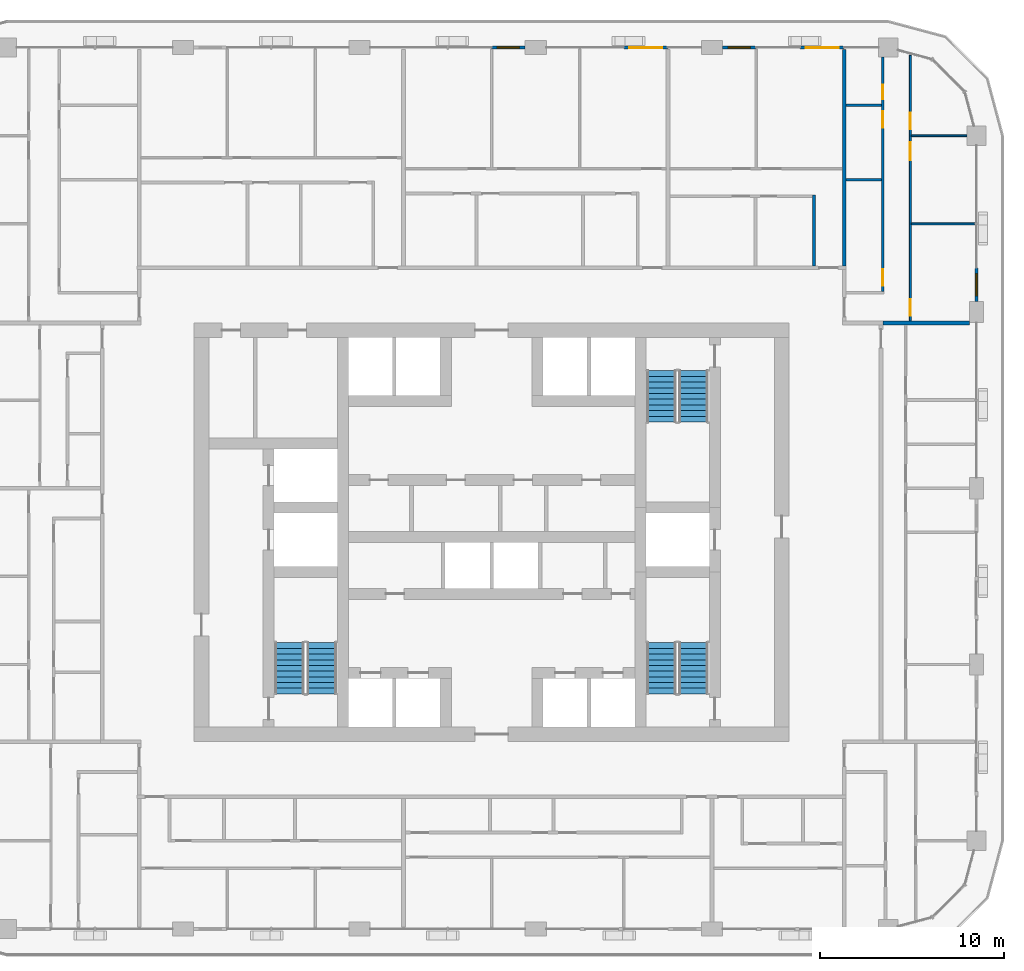
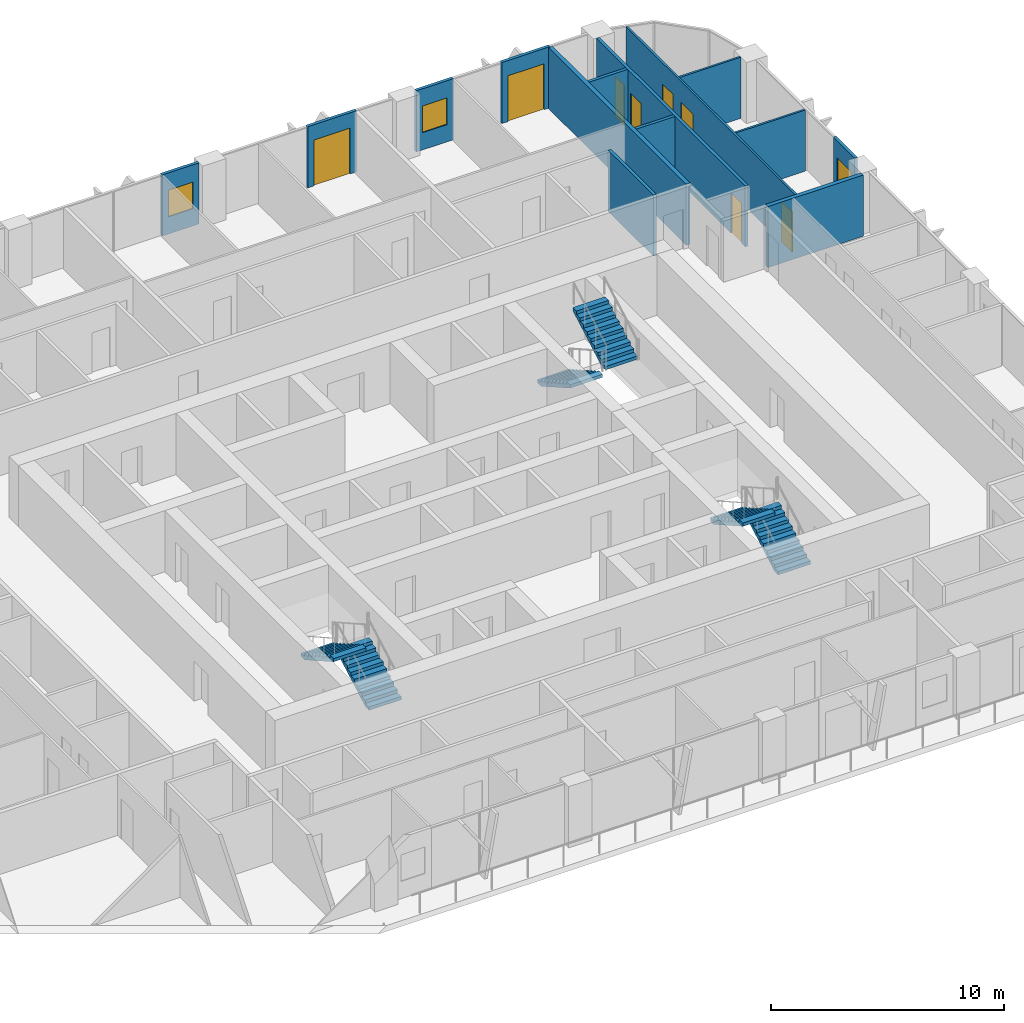
# One storey, part 15 of 22: 14 walls, 8 doors, 6 stair flights, 3 windows, 11 openings, 3 elements without a shape of their own.
"""IFC4 building model written with IfcOpenShell, lengths in metres."""

from ifc_helpers import new_model, si_unit, direction, frame, frame_2d, origin, place, context, subcontext, project, spatial, polyline, rectangle, outline, extrude, material, layer, layer_set, type_object, element, fill, aggregate, save


model = new_model("IFC4")

# Units and contexts
model_context = context("Model", 3, precision=1e-05, world=origin(), true_north=direction((0.0, 1.0)))
body_context = subcontext(model_context, "Body", "Model", "MODEL_VIEW")
ifc_project = project(units=[si_unit("LENGTHUNIT", "METRE"), si_unit("AREAUNIT", "SQUARE_METRE"), si_unit("VOLUMEUNIT", "CUBIC_METRE"), si_unit("PLANEANGLEUNIT", "RADIAN"), si_unit("MASSUNIT", "GRAM", prefix="KILO")], contexts=[model_context])

# Site, building, storey
site_placement = place(None, origin())
site = spatial("IfcSite", under=ifc_project, at=site_placement, CompositionType="ELEMENT")
building_placement = place(site_placement, origin())
building = spatial("IfcBuilding", under=site, at=building_placement, Name="Madar Terraces", CompositionType="ELEMENT")
storey_placement = place(building_placement, frame((0.0, 0.0, 126.10009765625)))
storey = spatial("IfcBuildingStorey", under=building, at=storey_placement, Name="L32", CompositionType="ELEMENT", Elevation=126.10009765625)

# Wall, opening, window
ifc_material_1 = material(Name="Aluminium composite panel, black, over insulated backing", Category="aluminium")
ifc_layer_1 = layer(ifc_material_1, 0.14990234375)
ifc_layer_set_1 = layer_set([ifc_layer_1], Name="Facade bay panel 150")
wall_type_1 = type_object("IfcWallType", Name="Facade bay panel 150", PredefinedType="SOLIDWALL", material=ifc_layer_set_1)
wall_1_placement = place(storey_placement, frame((57.60009765625, 38.97509765625, 0.0), z_axis=(0.0, 0.0, 1.0), x_axis=(0.0, 1.0, 0.0)))
wall_1 = element("IfcWall", 1, at=wall_1_placement, inside=storey, type_object=wall_type_1, Name="Facade bay panel", PredefinedType="SOLIDWALL", context=body_context, shape_type="SweptSolid", body=[
    extrude(rectangle(XDim=1.824951171875, YDim=0.14990234375, at=frame_2d((0.91259765625, 0.0))), origin(), (0.0, 0.0, 1.0), 3.199951171875),
])
opening_1_placement = place(wall_1_placement, frame((0.3125, 0.0, 0.89990234375)))
opening_1 = element("IfcOpeningElement", 2, at=opening_1_placement, cuts=wall_1, Name="Opening W1", PredefinedType="OPENING", context=body_context, shape_type="SweptSolid", body=[
    extrude(rectangle(XDim=1.199951171875, YDim=1.39990234375, at=frame_2d((0.60009765625, 0.699951171875))), frame((0.0, 0.0849609375, 0.0), z_axis=(0.0, -1.0, 0.0), x_axis=(1.0, 0.0, 0.0)), (0.0, 0.0, 1.0), 0.169921875),
])
ifc_material_2 = material(Name="Glass, clear, with black aluminium frame", Category="aluminium")
window_type = type_object("IfcWindowType", Name="Vent window 1200 x 1400", PartitioningType="SINGLE_PANEL", PredefinedType="WINDOW", material=ifc_material_2)
window_1_placement = place(opening_1_placement, origin())
window_1 = element("IfcWindow", 3, at=window_1_placement, inside=storey, type_object=window_type, Name="Operable vent window", OverallHeight=1.39990234375, OverallWidth=1.199951171875, PartitioningType="SINGLE_PANEL", PredefinedType="WINDOW", context=body_context, shape_type="SweptSolid", body=[
    extrude(rectangle(XDim=1.199951171875, YDim=1.39990234375, at=frame_2d((0.60009765625, 0.699951171875))), frame((0.0, 0.030029296875, 0.0), z_axis=(0.0, -1.0, 0.0), x_axis=(1.0, 0.0, 0.0)), (0.0, 0.0, 1.0), 0.06005859375),
])
fill(opening_1, window_1)

# Wall, opening, door
wall_2_placement = place(storey_placement, frame((50.39990234375, 52.800048828125, 0.0), z_axis=(0.0, 0.0, 1.0), x_axis=(-1.0, 0.0, 0.0)))
wall_2 = element("IfcWall", 4, at=wall_2_placement, inside=storey, type_object=wall_type_1, Name="Facade bay panel", PredefinedType="SOLIDWALL", context=body_context, shape_type="SweptSolid", body=[
    extrude(rectangle(XDim=2.39990234375, YDim=0.14990234375, at=frame_2d((1.199951171875, 0.0))), origin(), (0.0, 0.0, 1.0), 3.199951171875),
])
opening_2_placement = place(wall_2_placement, frame((0.300048828125, 0.0, 0.0)))
opening_2 = element("IfcOpeningElement", 5, at=opening_2_placement, cuts=wall_2, Name="Opening ED1", PredefinedType="OPENING", context=body_context, shape_type="SweptSolid", body=[
    extrude(rectangle(XDim=1.800048828125, YDim=2.39990234375, at=frame_2d((0.89990234375, 1.199951171875))), frame((0.0, 0.0849609375, 0.0), z_axis=(0.0, -1.0, 0.0), x_axis=(1.0, 0.0, 0.0)), (0.0, 0.0, 1.0), 0.169921875),
])
ifc_material_3 = material(Name="Glass, clear, with black aluminium frame", Category="aluminium")
door_type_1 = type_object("IfcDoorType", Name="Balcony and terrace sliding door 1800 x 2400", OperationType="SLIDING_TO_LEFT", PredefinedType="DOOR", material=ifc_material_3)
door_1_placement = place(opening_2_placement, origin())
door_1 = element("IfcDoor", 6, at=door_1_placement, inside=storey, type_object=door_type_1, Name="Balcony door", OperationType="SLIDING_TO_LEFT", OverallHeight=2.39990234375, OverallWidth=1.800048828125, PredefinedType="DOOR", context=body_context, shape_type="SweptSolid", body=[
    extrude(rectangle(XDim=1.800048828125, YDim=2.39990234375, at=frame_2d((0.89990234375, 1.199951171875))), frame((0.0, 0.02490234375, 0.0), z_axis=(0.0, -1.0, 0.0), x_axis=(1.0, 0.0, 0.0)), (0.0, 0.0, 1.0), 0.050048828125),
])
fill(opening_2, door_1)

# Wall, opening, window
wall_3_placement = place(storey_placement, frame((45.60009765625, 52.800048828125, 0.0), z_axis=(0.0, 0.0, 1.0), x_axis=(-1.0, 0.0, 0.0)))
wall_3 = element("IfcWall", 7, at=wall_3_placement, inside=storey, type_object=wall_type_1, Name="Facade bay panel", PredefinedType="SOLIDWALL", context=body_context, shape_type="SweptSolid", body=[
    extrude(rectangle(XDim=1.8251953125, YDim=0.14990234375, at=frame_2d((0.91259765625, 0.0))), origin(), (0.0, 0.0, 1.0), 3.199951171875),
])
opening_3_placement = place(wall_3_placement, frame((0.3125, 0.0, 0.89990234375)))
opening_3 = element("IfcOpeningElement", 8, at=opening_3_placement, cuts=wall_3, Name="Opening W1", PredefinedType="OPENING", context=body_context, shape_type="SweptSolid", body=[
    extrude(rectangle(XDim=1.199951171875, YDim=1.39990234375, at=frame_2d((0.60009765625, 0.699951171875))), frame((0.0, 0.0849609375, 0.0), z_axis=(0.0, -1.0, 0.0), x_axis=(1.0, 0.0, 0.0)), (0.0, 0.0, 1.0), 0.169921875),
])
window_2_placement = place(opening_3_placement, origin())
window_2 = element("IfcWindow", 9, at=window_2_placement, inside=storey, type_object=window_type, Name="Operable vent window", OverallHeight=1.39990234375, OverallWidth=1.199951171875, PartitioningType="SINGLE_PANEL", PredefinedType="WINDOW", context=body_context, shape_type="SweptSolid", body=[
    extrude(rectangle(XDim=1.199951171875, YDim=1.39990234375, at=frame_2d((0.60009765625, 0.699951171875))), frame((0.0, 0.030029296875, 0.0), z_axis=(0.0, -1.0, 0.0), x_axis=(1.0, 0.0, 0.0)), (0.0, 0.0, 1.0), 0.06005859375),
])
fill(opening_3, window_2)

# Wall, opening, door
wall_4_placement = place(storey_placement, frame((40.800048828125, 52.800048828125, 0.0), z_axis=(0.0, 0.0, 1.0), x_axis=(-1.0, 0.0, 0.0)))
wall_4 = element("IfcWall", 10, at=wall_4_placement, inside=storey, type_object=wall_type_1, Name="Facade bay panel", PredefinedType="SOLIDWALL", context=body_context, shape_type="SweptSolid", body=[
    extrude(rectangle(XDim=2.400146484375, YDim=0.14990234375, at=frame_2d((1.2001953125, 0.0))), origin(), (0.0, 0.0, 1.0), 3.199951171875),
])
opening_4_placement = place(wall_4_placement, frame((0.300048828125, 0.0, 0.0)))
opening_4 = element("IfcOpeningElement", 11, at=opening_4_placement, cuts=wall_4, Name="Opening ED1", PredefinedType="OPENING", context=body_context, shape_type="SweptSolid", body=[
    extrude(rectangle(XDim=1.800048828125, YDim=2.39990234375, at=frame_2d((0.89990234375, 1.199951171875))), frame((0.0, 0.0849609375, 0.0), z_axis=(0.0, -1.0, 0.0), x_axis=(1.0, 0.0, 0.0)), (0.0, 0.0, 1.0), 0.169921875),
])
door_2_placement = place(opening_4_placement, origin())
door_2 = element("IfcDoor", 12, at=door_2_placement, inside=storey, type_object=door_type_1, Name="Balcony door", OperationType="SLIDING_TO_RIGHT", OverallHeight=2.39990234375, OverallWidth=1.800048828125, PredefinedType="DOOR", context=body_context, shape_type="SweptSolid", body=[
    extrude(rectangle(XDim=1.800048828125, YDim=2.39990234375, at=frame_2d((0.89990234375, 1.199951171875))), frame((0.0, 0.02490234375, 0.0), z_axis=(0.0, -1.0, 0.0), x_axis=(1.0, 0.0, 0.0)), (0.0, 0.0, 1.0), 0.050048828125),
])
fill(opening_4, door_2)

# Wall, opening, window
wall_5_placement = place(storey_placement, frame((33.02490234375, 52.800048828125, 0.0), z_axis=(0.0, 0.0, 1.0), x_axis=(-1.0, 0.0, 0.0)))
wall_5 = element("IfcWall", 13, at=wall_5_placement, inside=storey, type_object=wall_type_1, Name="Facade bay panel", PredefinedType="SOLIDWALL", context=body_context, shape_type="SweptSolid", body=[
    extrude(rectangle(XDim=1.824951171875, YDim=0.14990234375, at=frame_2d((0.91259765625, 0.0))), origin(), (0.0, 0.0, 1.0), 3.199951171875),
])
opening_5_placement = place(wall_5_placement, frame((0.3125, 0.0, 0.89990234375)))
opening_5 = element("IfcOpeningElement", 14, at=opening_5_placement, cuts=wall_5, Name="Opening W1", PredefinedType="OPENING", context=body_context, shape_type="SweptSolid", body=[
    extrude(rectangle(XDim=1.199951171875, YDim=1.39990234375, at=frame_2d((0.60009765625, 0.699951171875))), frame((0.0, 0.0849609375, 0.0), z_axis=(0.0, -1.0, 0.0), x_axis=(1.0, 0.0, 0.0)), (0.0, 0.0, 1.0), 0.169921875),
])
window_3_placement = place(opening_5_placement, origin())
window_3 = element("IfcWindow", 15, at=window_3_placement, inside=storey, type_object=window_type, Name="Operable vent window", OverallHeight=1.39990234375, OverallWidth=1.199951171875, PartitioningType="SINGLE_PANEL", PredefinedType="WINDOW", context=body_context, shape_type="SweptSolid", body=[
    extrude(rectangle(XDim=1.199951171875, YDim=1.39990234375, at=frame_2d((0.60009765625, 0.699951171875))), frame((0.0, 0.030029296875, 0.0), z_axis=(0.0, -1.0, 0.0), x_axis=(1.0, 0.0, 0.0)), (0.0, 0.0, 1.0), 0.06005859375),
])
fill(opening_5, window_3)

# Walls
ifc_material_4 = material(Name="Gypsum board on steel studs", Category="steel")
ifc_layer_2 = layer(ifc_material_4, 0.10009765625)
ifc_layer_set_2 = layer_set([ifc_layer_2], Name="Flat partition 100")
wall_type_2 = type_object("IfcWallType", Name="Flat partition 100", PredefinedType="PARTITIONING", material=ifc_layer_set_2)
wall_6_placement = place(storey_placement, frame((54.050048828125, 43.199951171875, 0.0), z_axis=(0.0, 0.0, 1.0), x_axis=(1.0, 0.0, 0.0)))
element("IfcWall", 16, at=wall_6_placement, inside=storey, type_object=wall_type_2, Name="Flat partition 100", PredefinedType="PARTITIONING", context=body_context, shape_type="SweptSolid", body=[
    extrude(rectangle(XDim=3.449951171875, YDim=0.10009765625, at=frame_2d((1.72509765625, 0.0))), origin(), (0.0, 0.0, 1.0), 3.199951171875),
])
wall_7_placement = place(storey_placement, frame((54.050048828125, 48.0, 0.0), z_axis=(0.0, 0.0, 1.0), x_axis=(1.0, 0.0, 0.0)))
element("IfcWall", 17, at=wall_7_placement, inside=storey, type_object=wall_type_2, Name="Flat partition 100", PredefinedType="PARTITIONING", context=body_context, shape_type="SweptSolid", body=[
    extrude(rectangle(XDim=3.02490234375, YDim=0.10009765625, at=frame_2d((1.512451171875, 0.0))), origin(), (0.0, 0.0, 1.0), 3.199951171875),
])

# Wall, openings, doors
wall_8_placement = place(storey_placement, frame((54.0, 52.37841796875, 0.0), z_axis=(0.0, 0.0, 1.0), x_axis=(0.0, -1.0, 0.0)))
wall_8 = element("IfcWall", 18, at=wall_8_placement, inside=storey, type_object=wall_type_2, Name="Flat partition 100", PredefinedType="PARTITIONING", context=body_context, shape_type="SweptSolid", body=[
    extrude(rectangle(XDim=14.478515625, YDim=0.10009765625, at=frame_2d((7.2392578125, 0.0))), origin(), (0.0, 0.0, 1.0), 3.199951171875),
])
opening_6_placement = place(wall_8_placement, frame((13.278564453125, 0.0, 0.0)))
opening_6 = element("IfcOpeningElement", 19, at=opening_6_placement, cuts=wall_8, Name="Opening D2", PredefinedType="OPENING", context=body_context, shape_type="SweptSolid", body=[
    extrude(rectangle(XDim=0.89990234375, YDim=2.10009765625, at=frame_2d((0.449951171875, 1.050048828125))), frame((0.0, 0.06005859375, 0.0), z_axis=(0.0, -1.0, 0.0), x_axis=(1.0, 0.0, 0.0)), (0.0, 0.0, 1.0), 0.1201171875),
])
opening_7_placement = place(wall_8_placement, frame((4.728515625, 0.0, 0.0)))
opening_7 = element("IfcOpeningElement", 20, at=opening_7_placement, cuts=wall_8, Name="Opening D3", PredefinedType="OPENING", context=body_context, shape_type="SweptSolid", body=[
    extrude(rectangle(XDim=1.0, YDim=2.10009765625, at=frame_2d((0.5, 1.050048828125))), frame((0.0, 0.06005859375, 0.0), z_axis=(0.0, -1.0, 0.0), x_axis=(1.0, 0.0, 0.0)), (0.0, 0.0, 1.0), 0.1201171875),
])
opening_8_placement = place(wall_8_placement, frame((3.12841796875, 0.0, 0.0)))
opening_8 = element("IfcOpeningElement", 21, at=opening_8_placement, cuts=wall_8, Name="Opening D2", PredefinedType="OPENING", context=body_context, shape_type="SweptSolid", body=[
    extrude(rectangle(XDim=0.89990234375, YDim=2.10009765625, at=frame_2d((0.449951171875, 1.050048828125))), frame((0.0, 0.06005859375, 0.0), z_axis=(0.0, -1.0, 0.0), x_axis=(1.0, 0.0, 0.0)), (0.0, 0.0, 1.0), 0.1201171875),
])
ifc_material_5 = material(Name="Timber door leaf", Category="wood")
door_type_2 = type_object("IfcDoorType", Name="Flat living room door 1000", OperationType="NOTDEFINED", PredefinedType="DOOR", material=ifc_material_5)
door_3_placement = place(opening_7_placement, origin())
door_3 = element("IfcDoor", 22, at=door_3_placement, inside=storey, type_object=door_type_2, Name="Flat living room door 1000", OperationType="SINGLE_SWING_LEFT", OverallHeight=2.10009765625, OverallWidth=1.0, PredefinedType="DOOR", context=body_context, shape_type="SweptSolid", body=[
    extrude(rectangle(XDim=1.0, YDim=2.10009765625, at=frame_2d((0.5, 1.050048828125))), frame((0.0, 0.02490234375, 0.0), z_axis=(0.0, -1.0, 0.0), x_axis=(1.0, 0.0, 0.0)), (0.0, 0.0, 1.0), 0.050048828125),
])
fill(opening_7, door_3)
ifc_material_6 = material(Name="Timber door leaf", Category="wood")
door_type_3 = type_object("IfcDoorType", Name="Flat room door 900", OperationType="NOTDEFINED", PredefinedType="DOOR", material=ifc_material_6)
door_4_placement = place(opening_6_placement, origin())
door_4 = element("IfcDoor", 23, at=door_4_placement, inside=storey, type_object=door_type_3, Name="Flat room door 900", OperationType="SINGLE_SWING_RIGHT", OverallHeight=2.10009765625, OverallWidth=0.89990234375, PredefinedType="DOOR", context=body_context, shape_type="SweptSolid", body=[
    extrude(rectangle(XDim=0.89990234375, YDim=2.10009765625, at=frame_2d((0.449951171875, 1.050048828125))), frame((0.0, 0.02490234375, 0.0), z_axis=(0.0, -1.0, 0.0), x_axis=(1.0, 0.0, 0.0)), (0.0, 0.0, 1.0), 0.050048828125),
])
fill(opening_6, door_4)
door_5_placement = place(opening_8_placement, origin())
door_5 = element("IfcDoor", 24, at=door_5_placement, inside=storey, type_object=door_type_3, Name="Flat room door 900", OperationType="SINGLE_SWING_RIGHT", OverallHeight=2.10009765625, OverallWidth=0.89990234375, PredefinedType="DOOR", context=body_context, shape_type="SweptSolid", body=[
    extrude(rectangle(XDim=0.89990234375, YDim=2.10009765625, at=frame_2d((0.449951171875, 1.050048828125))), frame((0.0, 0.02490234375, 0.0), z_axis=(0.0, -1.0, 0.0), x_axis=(1.0, 0.0, 0.0)), (0.0, 0.0, 1.0), 0.050048828125),
])
fill(opening_8, door_5)

# Walls
ifc_material_7 = material(Name="Lightweight blockwork", Category="masonry")
ifc_layer_3 = layer(ifc_material_7, 0.199951171875)
ifc_layer_set_3 = layer_set([ifc_layer_3], Name="Flat party and entrance wall 200")
wall_type_3 = type_object("IfcWallType", Name="Flat party and entrance wall 200", PredefinedType="PARTITIONING", material=ifc_layer_set_3)
wall_9_placement = place(storey_placement, frame((52.5, 37.800048828125, 0.0), z_axis=(0.0, 0.0, 1.0), x_axis=(1.0, 0.0, 0.0)))
element("IfcWall", 25, at=wall_9_placement, inside=storey, type_object=wall_type_3, Name="Flat party and entrance wall 200", PredefinedType="PARTITIONING", context=body_context, shape_type="SweptSolid", body=[
    extrude(rectangle(XDim=4.72509765625, YDim=0.199951171875, at=frame_2d((2.362548828125, 0.0))), origin(), (0.0, 0.0, 1.0), 3.199951171875),
])
wall_10_placement = place(storey_placement, frame((50.39990234375, 40.89990234375, 0.0), z_axis=(0.0, 0.0, 1.0), x_axis=(0.0, 1.0, 0.0)))
element("IfcWall", 26, at=wall_10_placement, inside=storey, type_object=wall_type_3, Name="Flat party and entrance wall 200", PredefinedType="PARTITIONING", context=body_context, shape_type="SweptSolid", body=[
    extrude(rectangle(XDim=11.800048828125, YDim=0.199951171875, at=frame_2d((5.89990234375, 0.0))), origin(), (0.0, 0.0, 1.0), 3.199951171875),
])
ifc_material_8 = material(Name="Lightweight blockwork", Category="masonry")
ifc_layer_4 = layer(ifc_material_8, 0.14990234375)
ifc_layer_set_4 = layer_set([ifc_layer_4], Name="Flat wet-room partition 150")
wall_type_4 = type_object("IfcWallType", Name="Flat wet-room partition 150", PredefinedType="PARTITIONING", material=ifc_layer_set_4)
for number, where, z_axis, x_axis, name in (
    (27, (50.5, 45.605712890625, 0.0), (0.0, 0.0, 1.0), (1.0, 0.0, 0.0), "Flat wet-room partition 150"),
    (28, (50.5, 49.65966796875, 0.0), (0.0, 0.0, 1.0), (1.0, 0.0, 0.0), "Flat wet-room partition 150"),
):
    element("IfcWall", number, at=place(storey_placement, frame(where, z_axis=z_axis, x_axis=x_axis)), inside=storey, type_object=wall_type_4, Name=name, PredefinedType="PARTITIONING", context=body_context, shape_type="SweptSolid", body=[
        extrude(rectangle(XDim=1.925048828125, YDim=0.14990234375, at=frame_2d((0.96240234375, 0.0))), origin(), (0.0, 0.0, 1.0), 3.199951171875),
    ])

# Wall, openings, doors
wall_11_placement = place(storey_placement, frame((52.5, 39.52490234375, 0.0), z_axis=(0.0, 0.0, 1.0), x_axis=(0.0, 1.0, 0.0)))
wall_11 = element("IfcWall", 29, at=wall_11_placement, inside=storey, type_object=wall_type_4, Name="Flat wet-room partition 150", PredefinedType="PARTITIONING", context=body_context, shape_type="SweptSolid", body=[
    extrude(rectangle(XDim=12.75, YDim=0.14990234375, at=frame_2d((6.375, 0.0))), origin(), (0.0, 0.0, 1.0), 3.199951171875),
])
opening_9_placement = place(wall_11_placement, frame((0.300048828125, 0.0, 0.0)))
opening_9 = element("IfcOpeningElement", 30, at=opening_9_placement, cuts=wall_11, Name="Opening D2", PredefinedType="OPENING", context=body_context, shape_type="SweptSolid", body=[
    extrude(rectangle(XDim=0.89990234375, YDim=2.10009765625, at=frame_2d((0.449951171875, 1.050048828125))), frame((0.0, 0.0849609375, 0.0), z_axis=(0.0, -1.0, 0.0), x_axis=(1.0, 0.0, 0.0)), (0.0, 0.0, 1.0), 0.169921875),
])
opening_10_placement = place(wall_11_placement, frame((8.90966796875, 0.0, 0.0)))
opening_10 = element("IfcOpeningElement", 31, at=opening_10_placement, cuts=wall_11, Name="Opening D5", PredefinedType="OPENING", context=body_context, shape_type="SweptSolid", body=[
    extrude(rectangle(XDim=0.89990234375, YDim=2.10009765625, at=frame_2d((0.449951171875, 1.050048828125))), frame((0.0, 0.0849609375, 0.0), z_axis=(0.0, -1.0, 0.0), x_axis=(1.0, 0.0, 0.0)), (0.0, 0.0, 1.0), 0.169921875),
])
opening_11_placement = place(wall_11_placement, frame((10.459716796875, 0.0, 0.0)))
opening_11 = element("IfcOpeningElement", 32, at=opening_11_placement, cuts=wall_11, Name="Opening D4", PredefinedType="OPENING", context=body_context, shape_type="SweptSolid", body=[
    extrude(rectangle(XDim=0.800048828125, YDim=2.10009765625, at=frame_2d((0.39990234375, 1.050048828125))), frame((0.0, 0.0849609375, 0.0), z_axis=(0.0, -1.0, 0.0), x_axis=(1.0, 0.0, 0.0)), (0.0, 0.0, 1.0), 0.169921875),
])
ifc_material_9 = material(Name="Timber door leaf", Category="wood")
door_type_4 = type_object("IfcDoorType", Name="Flat accessible bathroom door 900", OperationType="NOTDEFINED", PredefinedType="DOOR", material=ifc_material_9)
door_6_placement = place(opening_10_placement, origin())
door_6 = element("IfcDoor", 33, at=door_6_placement, inside=storey, type_object=door_type_4, Name="Flat accessible bathroom door 900", OperationType="SINGLE_SWING_RIGHT", OverallHeight=2.10009765625, OverallWidth=0.89990234375, PredefinedType="DOOR", context=body_context, shape_type="SweptSolid", body=[
    extrude(rectangle(XDim=0.89990234375, YDim=2.10009765625, at=frame_2d((0.449951171875, 1.050048828125))), frame((0.0, 0.02490234375, 0.0), z_axis=(0.0, -1.0, 0.0), x_axis=(1.0, 0.0, 0.0)), (0.0, 0.0, 1.0), 0.050048828125),
])
fill(opening_10, door_6)
ifc_material_10 = material(Name="Timber door leaf", Category="wood")
door_type_5 = type_object("IfcDoorType", Name="Flat bathroom door 800", OperationType="NOTDEFINED", PredefinedType="DOOR", material=ifc_material_10)
door_7_placement = place(opening_11_placement, origin())
door_7 = element("IfcDoor", 34, at=door_7_placement, inside=storey, type_object=door_type_5, Name="Flat bathroom door 800", OperationType="SINGLE_SWING_LEFT", OverallHeight=2.10009765625, OverallWidth=0.800048828125, PredefinedType="DOOR", context=body_context, shape_type="SweptSolid", body=[
    extrude(rectangle(XDim=0.800048828125, YDim=2.10009765625, at=frame_2d((0.39990234375, 1.050048828125))), frame((0.0, 0.02490234375, 0.0), z_axis=(0.0, -1.0, 0.0), x_axis=(1.0, 0.0, 0.0)), (0.0, 0.0, 1.0), 0.050048828125),
])
fill(opening_11, door_7)
door_8_placement = place(opening_9_placement, origin())
door_8 = element("IfcDoor", 35, at=door_8_placement, inside=storey, type_object=door_type_3, Name="Flat room door 900", OperationType="SINGLE_SWING_LEFT", OverallHeight=2.10009765625, OverallWidth=0.89990234375, PredefinedType="DOOR", context=body_context, shape_type="SweptSolid", body=[
    extrude(rectangle(XDim=0.89990234375, YDim=2.10009765625, at=frame_2d((0.449951171875, 1.050048828125))), frame((0.0, 0.02490234375, 0.0), z_axis=(0.0, -1.0, 0.0), x_axis=(1.0, 0.0, 0.0)), (0.0, 0.0, 1.0), 0.050048828125),
])
fill(opening_9, door_8)

# Wall
wall_12_placement = place(storey_placement, frame((48.75, 40.89990234375, 0.0), z_axis=(0.0, 0.0, 1.0), x_axis=(0.0, 1.0, 0.0)))
element("IfcWall", 36, at=wall_12_placement, inside=storey, type_object=wall_type_4, Name="Flat wet-room partition 150", PredefinedType="PARTITIONING", context=body_context, shape_type="SweptSolid", body=[
    extrude(rectangle(XDim=3.875, YDim=0.14990234375, at=frame_2d((1.9375, 0.0))), origin(), (0.0, 0.0, 1.0), 3.199951171875),
])

# Stair, stair flights
ifc_material_11 = material(Name="Concrete C50/60", Category="concrete")
stair_type_1 = type_object("IfcStairType", Name="Stair ST1 protected exit", PredefinedType="HALF_TURN_STAIR", material=ifc_material_11)
stair_1_placement = place(storey_placement, origin())
stair_1 = element("IfcStair", 37, at=stair_1_placement, inside=storey, type_object=stair_type_1, Name="L32 Protected Exit Stair ST1", PredefinedType="HALF_TURN_STAIR")
ifc_material_12 = material(Name="Concrete C50/60", Category="concrete")
stair_flight_type_1 = type_object("IfcStairFlightType", Name="Stair flight ST1-F4, 1600 wide, 10 risers", PredefinedType="STRAIGHT", material=ifc_material_12)
stair_flight_1_placement = place(storey_placement, frame((21.949951171875, 17.60009765625, 0.0), z_axis=(0.0, 0.0, 1.0), x_axis=(0.0, 1.0, 0.0)))
stair_flight_1 = element("IfcStairFlight", 38, at=stair_flight_1_placement, type_object=stair_flight_type_1, Name="ST1 flight 1", NumberOfRisers=10, NumberOfTreads=9, PredefinedType="STRAIGHT", RiserHeight=0.175, TreadLength=0.31, context=body_context, shape_type="SweptSolid", body=[
    extrude(outline(polyline([(0.0, 0.0), (0.0, 0.175048828125), (0.31005859375, 0.175048828125), (0.31005859375, 0.35009765625), (0.6201171875, 0.35009765625), (0.6201171875, 0.52490234375), (0.929931640625, 0.52490234375), (0.929931640625, 0.699951171875), (1.239990234375, 0.699951171875), (1.239990234375, 0.875), (1.550048828125, 0.875), (1.550048828125, 1.050048828125), (1.860107421875, 1.050048828125), (1.860107421875, 1.22509765625), (2.169921875, 1.22509765625), (2.169921875, 1.39990234375), (2.47998046875, 1.39990234375), (2.47998046875, 1.574951171875), (2.7900390625, 1.574951171875), (2.7900390625, 1.75), (2.7900390625, 1.40283203125), (0.304931640625, 0.0), (0.0, 0.0)])), frame((0.0, 0.800048828125, 0.0), z_axis=(0.0, -1.0, 0.0), x_axis=(1.0, 0.0, 0.0)), (0.0, 0.0, 1.0), 1.60009765625),
])
stair_flight_2_placement = place(storey_placement, frame((20.199951171875, 20.389892578125, 1.75), z_axis=(0.0, 0.0, 1.0), x_axis=(0.0, -1.0, 0.0)))
stair_flight_2 = element("IfcStairFlight", 39, at=stair_flight_2_placement, type_object=stair_flight_type_1, Name="ST1 flight 2", NumberOfRisers=10, NumberOfTreads=9, PredefinedType="STRAIGHT", RiserHeight=0.175, TreadLength=0.31, context=body_context, shape_type="SweptSolid", body=[
    extrude(outline(polyline([(0.0, 0.0), (0.0, 0.175048828125), (0.31005859375, 0.175048828125), (0.31005859375, 0.35009765625), (0.6201171875, 0.35009765625), (0.6201171875, 0.52490234375), (0.929931640625, 0.52490234375), (0.929931640625, 0.699951171875), (1.239990234375, 0.699951171875), (1.239990234375, 0.875), (1.550048828125, 0.875), (1.550048828125, 1.050048828125), (1.860107421875, 1.050048828125), (1.860107421875, 1.22509765625), (2.169921875, 1.22509765625), (2.169921875, 1.39990234375), (2.47998046875, 1.39990234375), (2.47998046875, 1.574951171875), (2.7900390625, 1.574951171875), (2.7900390625, 1.75), (2.7900390625, 1.40283203125), (0.304931640625, 0.0), (0.0, 0.0)])), frame((0.0, 0.800048828125, 0.0), z_axis=(0.0, -1.0, 0.0), x_axis=(1.0, 0.0, 0.0)), (0.0, 0.0, 1.0), 1.60009765625),
])
aggregate(stair_1, [stair_flight_1, stair_flight_2])

ifc_material_13 = material(Name="Concrete C50/60", Category="concrete")
stair_type_2 = type_object("IfcStairType", Name="Stair ST2 protected exit", PredefinedType="HALF_TURN_STAIR", material=ifc_material_13)
stair_2_placement = place(storey_placement, origin())
stair_2 = element("IfcStair", 40, at=stair_2_placement, inside=storey, type_object=stair_type_2, Name="L32 Protected Exit Stair ST2", PredefinedType="HALF_TURN_STAIR")
ifc_material_14 = material(Name="Concrete C50/60", Category="concrete")
stair_flight_type_2 = type_object("IfcStairFlightType", Name="Stair flight ST2-F4, 1600 wide, 10 risers", PredefinedType="STRAIGHT", material=ifc_material_14)
stair_flight_3_placement = place(storey_placement, frame((40.449951171875, 35.199951171875, 0.0), z_axis=(0.0, 0.0, 1.0), x_axis=(0.0, -1.0, 0.0)))
stair_flight_3 = element("IfcStairFlight", 41, at=stair_flight_3_placement, type_object=stair_flight_type_2, Name="ST2 flight 1", NumberOfRisers=10, NumberOfTreads=9, PredefinedType="STRAIGHT", RiserHeight=0.175, TreadLength=0.31, context=body_context, shape_type="SweptSolid", body=[
    extrude(outline(polyline([(0.0, 0.0), (0.0, 0.175048828125), (0.31005859375, 0.175048828125), (0.31005859375, 0.35009765625), (0.6201171875, 0.35009765625), (0.6201171875, 0.52490234375), (0.929931640625, 0.52490234375), (0.929931640625, 0.699951171875), (1.239990234375, 0.699951171875), (1.239990234375, 0.875), (1.550048828125, 0.875), (1.550048828125, 1.050048828125), (1.860107421875, 1.050048828125), (1.860107421875, 1.22509765625), (2.169921875, 1.22509765625), (2.169921875, 1.39990234375), (2.47998046875, 1.39990234375), (2.47998046875, 1.574951171875), (2.7900390625, 1.574951171875), (2.7900390625, 1.75), (2.7900390625, 1.40283203125), (0.304931640625, 0.0), (0.0, 0.0)])), frame((0.0, 0.800048828125, 0.0), z_axis=(0.0, -1.0, 0.0), x_axis=(1.0, 0.0, 0.0)), (0.0, 0.0, 1.0), 1.60009765625),
])
stair_flight_4_placement = place(storey_placement, frame((42.199951171875, 32.409912109375, 1.75), z_axis=(0.0, 0.0, 1.0), x_axis=(0.0, 1.0, 0.0)))
stair_flight_4 = element("IfcStairFlight", 42, at=stair_flight_4_placement, type_object=stair_flight_type_2, Name="ST2 flight 2", NumberOfRisers=10, NumberOfTreads=9, PredefinedType="STRAIGHT", RiserHeight=0.175, TreadLength=0.31, context=body_context, shape_type="SweptSolid", body=[
    extrude(outline(polyline([(0.0, 0.0), (0.0, 0.175048828125), (0.31005859375, 0.175048828125), (0.31005859375, 0.35009765625), (0.6201171875, 0.35009765625), (0.6201171875, 0.52490234375), (0.929931640625, 0.52490234375), (0.929931640625, 0.699951171875), (1.239990234375, 0.699951171875), (1.239990234375, 0.875), (1.550048828125, 0.875), (1.550048828125, 1.050048828125), (1.860107421875, 1.050048828125), (1.860107421875, 1.22509765625), (2.169921875, 1.22509765625), (2.169921875, 1.39990234375), (2.47998046875, 1.39990234375), (2.47998046875, 1.574951171875), (2.7900390625, 1.574951171875), (2.7900390625, 1.75), (2.7900390625, 1.40283203125), (0.304931640625, 0.0), (0.0, 0.0)])), frame((0.0, 0.800048828125, 0.0), z_axis=(0.0, -1.0, 0.0), x_axis=(1.0, 0.0, 0.0)), (0.0, 0.0, 1.0), 1.60009765625),
])
aggregate(stair_2, [stair_flight_3, stair_flight_4])

ifc_material_15 = material(Name="Concrete C50/60", Category="concrete")
stair_type_3 = type_object("IfcStairType", Name="Stair ST3 protected exit", PredefinedType="HALF_TURN_STAIR", material=ifc_material_15)
stair_3_placement = place(storey_placement, origin())
stair_3 = element("IfcStair", 43, at=stair_3_placement, inside=storey, type_object=stair_type_3, Name="L32 Protected Exit Stair ST3", PredefinedType="HALF_TURN_STAIR")
ifc_material_16 = material(Name="Concrete C50/60", Category="concrete")
stair_flight_type_3 = type_object("IfcStairFlightType", Name="Stair flight ST3-F4, 1600 wide, 10 risers", PredefinedType="STRAIGHT", material=ifc_material_16)
stair_flight_5_placement = place(storey_placement, frame((42.199951171875, 17.60009765625, 0.0), z_axis=(0.0, 0.0, 1.0), x_axis=(0.0, 1.0, 0.0)))
stair_flight_5 = element("IfcStairFlight", 44, at=stair_flight_5_placement, type_object=stair_flight_type_3, Name="ST3 flight 1", NumberOfRisers=10, NumberOfTreads=9, PredefinedType="STRAIGHT", RiserHeight=0.175, TreadLength=0.31, context=body_context, shape_type="SweptSolid", body=[
    extrude(outline(polyline([(0.0, 0.0), (0.0, 0.175048828125), (0.31005859375, 0.175048828125), (0.31005859375, 0.35009765625), (0.6201171875, 0.35009765625), (0.6201171875, 0.52490234375), (0.929931640625, 0.52490234375), (0.929931640625, 0.699951171875), (1.239990234375, 0.699951171875), (1.239990234375, 0.875), (1.550048828125, 0.875), (1.550048828125, 1.050048828125), (1.860107421875, 1.050048828125), (1.860107421875, 1.22509765625), (2.169921875, 1.22509765625), (2.169921875, 1.39990234375), (2.47998046875, 1.39990234375), (2.47998046875, 1.574951171875), (2.7900390625, 1.574951171875), (2.7900390625, 1.75), (2.7900390625, 1.40283203125), (0.304931640625, 0.0), (0.0, 0.0)])), frame((0.0, 0.800048828125, 0.0), z_axis=(0.0, -1.0, 0.0), x_axis=(1.0, 0.0, 0.0)), (0.0, 0.0, 1.0), 1.60009765625),
])
stair_flight_6_placement = place(storey_placement, frame((40.449951171875, 20.389892578125, 1.75), z_axis=(0.0, 0.0, 1.0), x_axis=(0.0, -1.0, 0.0)))
stair_flight_6 = element("IfcStairFlight", 45, at=stair_flight_6_placement, type_object=stair_flight_type_3, Name="ST3 flight 2", NumberOfRisers=10, NumberOfTreads=9, PredefinedType="STRAIGHT", RiserHeight=0.175, TreadLength=0.31, context=body_context, shape_type="SweptSolid", body=[
    extrude(outline(polyline([(0.0, 0.0), (0.0, 0.175048828125), (0.31005859375, 0.175048828125), (0.31005859375, 0.35009765625), (0.6201171875, 0.35009765625), (0.6201171875, 0.52490234375), (0.929931640625, 0.52490234375), (0.929931640625, 0.699951171875), (1.239990234375, 0.699951171875), (1.239990234375, 0.875), (1.550048828125, 0.875), (1.550048828125, 1.050048828125), (1.860107421875, 1.050048828125), (1.860107421875, 1.22509765625), (2.169921875, 1.22509765625), (2.169921875, 1.39990234375), (2.47998046875, 1.39990234375), (2.47998046875, 1.574951171875), (2.7900390625, 1.574951171875), (2.7900390625, 1.75), (2.7900390625, 1.40283203125), (0.304931640625, 0.0), (0.0, 0.0)])), frame((0.0, 0.800048828125, 0.0), z_axis=(0.0, -1.0, 0.0), x_axis=(1.0, 0.0, 0.0)), (0.0, 0.0, 1.0), 1.60009765625),
])
aggregate(stair_3, [stair_flight_5, stair_flight_6])

save(model, "model.ifc")
